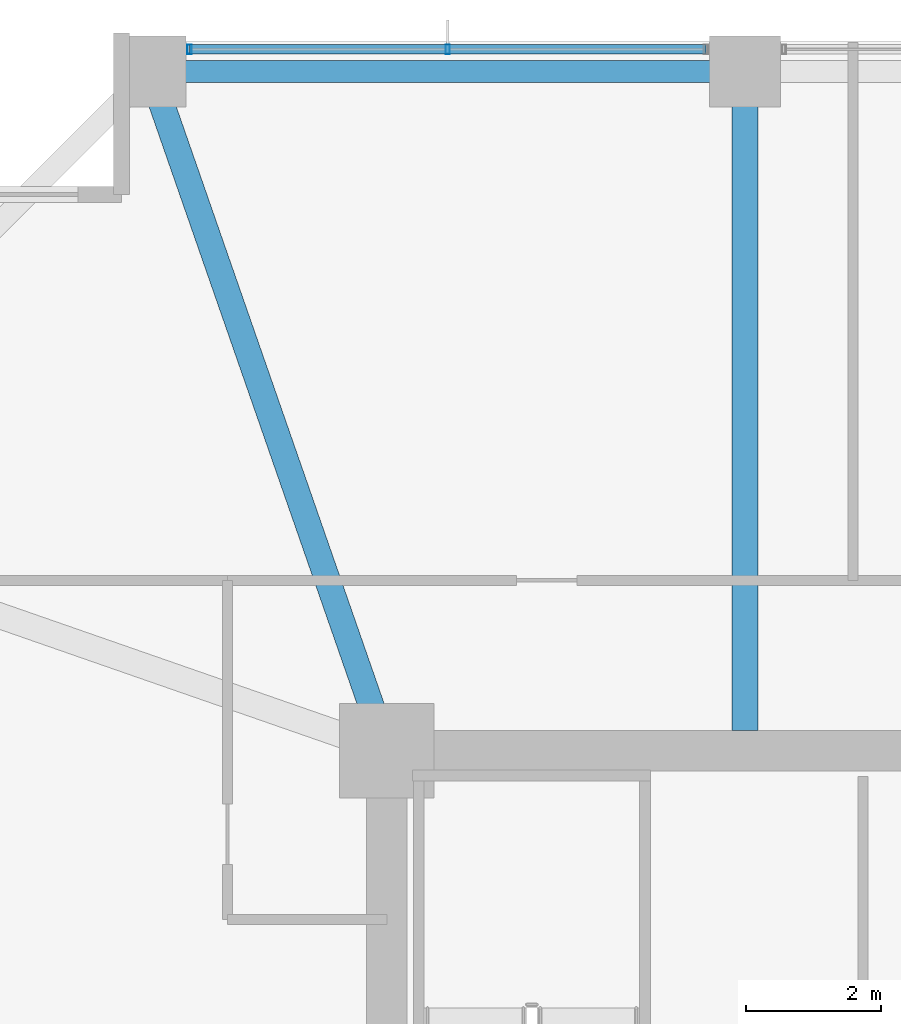
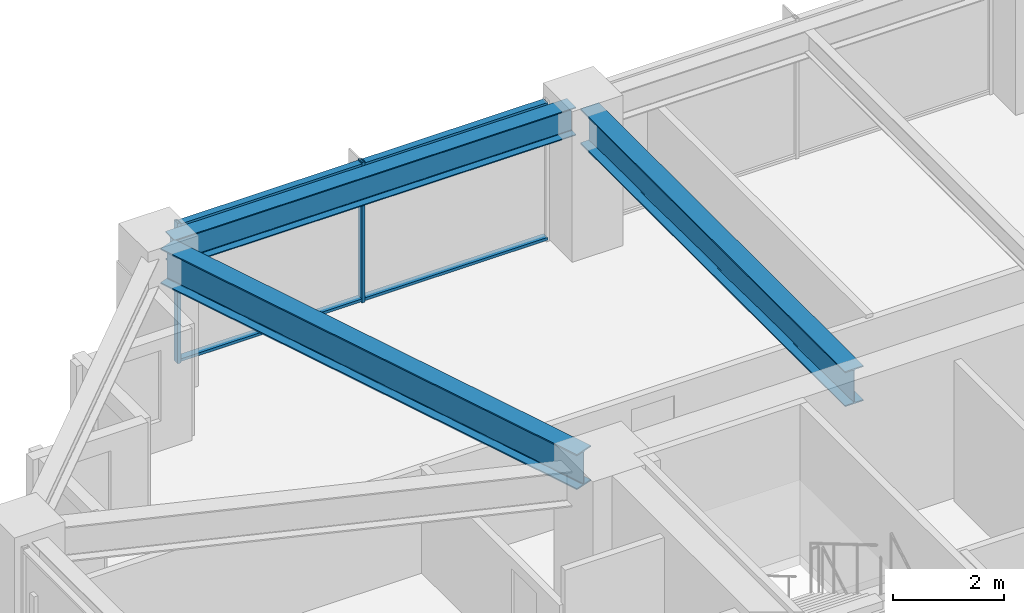
# One storey, part 20 of 36: 4 members, 3 beams, 1 element without a shape of its own.
"""IFC4 building model written with IfcOpenShell, lengths in metres."""

from ifc_helpers import new_model, si_unit, direction, frame, origin, origin_2d, place, context, subcontext, project, spatial, hollow_rectangle, i_section, extrude, material, material_profile, profile_set, type_object, element, aggregate, save


model = new_model("IFC4")

# Units and contexts
model_context = context("Model", 3, precision=1e-05, world=origin(), true_north=direction((0.0, 1.0)))
body_context = subcontext(model_context, "Body", "Model", "MODEL_VIEW")
ifc_project = project(units=[si_unit("LENGTHUNIT", "METRE"), si_unit("AREAUNIT", "SQUARE_METRE"), si_unit("VOLUMEUNIT", "CUBIC_METRE"), si_unit("PLANEANGLEUNIT", "RADIAN"), si_unit("MASSUNIT", "GRAM", prefix="KILO")], contexts=[model_context])

# Site, building, storey
site_placement = place(None, origin())
site = spatial("IfcSite", under=ifc_project, at=site_placement, CompositionType="ELEMENT")
building_placement = place(site_placement, origin())
building = spatial("IfcBuilding", under=site, at=building_placement, Name="Kolvaren Belvedere", CompositionType="ELEMENT")
storey_placement = place(building_placement, frame((0.0, 0.0, 95.300048828125)))
storey = spatial("IfcBuildingStorey", under=building, at=storey_placement, Name="L27", CompositionType="ELEMENT", Elevation=95.300048828125)

# Beams
ifc_material_1 = material(Name="Structural steel ASTM A992 Grade 50", Category="steel")
ifc_material_profile_1 = material_profile(ifc_material_1, i_section(OverallWidth=0.381103515625, OverallDepth=0.77294921875, WebThickness=0.0166015625, FlangeThickness=0.027099609375, FilletRadius=0.02392578125, at=origin_2d()), Name="W30X173")
ifc_profile_set_1 = profile_set([ifc_material_profile_1], Name="Structural steel ASTM A992 Grade 50")
beam_type_1 = type_object("IfcBeamType", Name="BM-GIRD-W30X173", PredefinedType="BEAM", material=ifc_profile_set_1)
beam_1_placement = place(storey_placement, frame((-4.60009765625, 10.199951171875, 2.693359375), z_axis=(0.0, 1.0, 0.0), x_axis=(-1.0, 0.0, 0.0)))
element("IfcBeam", 1, at=beam_1_placement, inside=storey, type_object=beam_type_1, Name="L27 North Radial Girder M", PredefinedType="BEAM", context=body_context, shape_type="SweptSolid", body=[
    extrude(i_section(OverallWidth=0.381103515625, OverallDepth=0.77294921875, WebThickness=0.0166015625, FlangeThickness=0.027099609375, FilletRadius=0.02392578125, at=origin_2d()), origin(), (0.0, 0.0, 1.0), 9.513916015625),
])
beam_2_placement = place(storey_placement, frame((-10.080810546875, 10.41943359375, 2.693359375), z_axis=(-0.328880894453, 0.944371408538, 0.0), x_axis=(-0.944371408538, -0.328880894453, 0.0)))
element("IfcBeam", 2, at=beam_2_placement, inside=storey, type_object=beam_type_1, Name="L27 Corner Core-to-Perimeter Girder CC4-N1", PredefinedType="BEAM", context=body_context, shape_type="SweptSolid", body=[
    extrude(i_section(OverallWidth=0.381103515625, OverallDepth=0.77294921875, WebThickness=0.0166015625, FlangeThickness=0.027099609375, FilletRadius=0.02392578125, at=origin_2d()), origin(), (0.0, 0.0, 1.0), 9.882080078125),
])
ifc_material_2 = material(Name="Structural steel ASTM A992 Grade 50", Category="steel")
ifc_material_profile_2 = material_profile(ifc_material_2, i_section(OverallWidth=0.324951171875, OverallDepth=0.615966796875, WebThickness=0.013916015625, FlangeThickness=0.021484375, FilletRadius=0.02001953125, at=origin_2d()), Name="W24X117")
ifc_profile_set_2 = profile_set([ifc_material_profile_2], Name="Structural steel ASTM A992 Grade 50")
beam_type_2 = type_object("IfcBeamType", Name="BM-SPAN-W24X117", PredefinedType="SPANDREL", material=ifc_profile_set_2)
beam_3_placement = place(storey_placement, frame((-4.836181640625, 19.949951171875, 2.77197265625), z_axis=(-1.0, 0.0, 0.0), x_axis=(0.0, -1.0, 0.0)))
element("IfcBeam", 3, at=beam_3_placement, inside=storey, type_object=beam_type_2, Name="L27 Perimeter Spandrel N2-N1", PredefinedType="SPANDREL", context=body_context, shape_type="SweptSolid", body=[
    extrude(i_section(OverallWidth=0.324951171875, OverallDepth=0.615966796875, WebThickness=0.013916015625, FlangeThickness=0.021484375, FilletRadius=0.02001953125, at=origin_2d()), origin(), (0.0, 0.0, 1.0), 8.32763671875),
])

# Curtain wall, members
ifc_material_3 = material(Name="Anodised pale-metal aluminium AA 6063-T6", Category="aluminium")
curtain_wall_type = type_object("IfcCurtainWallType", Name="CW-Z2-MID", PredefinedType="NOTDEFINED", material=ifc_material_3)
curtain_wall_placement = place(storey_placement, origin())
curtain_wall = element("IfcCurtainWall", 4, at=curtain_wall_placement, inside=storey, type_object=curtain_wall_type, Name="L27 Unitised Curtain Wall FCW-L27-N-B1", PredefinedType="NOTDEFINED")
ifc_material_4 = material(Name="Anodised pale-metal aluminium AA 6063-T6", Category="aluminium")
ifc_material_profile_3 = material_profile(ifc_material_4, hollow_rectangle(XDim=0.06494140625, YDim=0.139892578125, WallThickness=0.00390625, at=origin_2d()), Name="ALU-MUL-140X65")
ifc_profile_set_3 = profile_set([ifc_material_profile_3], Name="Anodised pale-metal aluminium AA 6063-T6")
member_type_1 = type_object("IfcMemberType", Name="CW-MUL-140", PredefinedType="MULLION", material=ifc_profile_set_3)
member_1_placement = place(storey_placement, frame((-12.822509765625, 20.280029296875, 0.0), z_axis=(0.0, 0.0, 1.0), x_axis=(1.0, 0.0, 0.0)))
member_1 = element("IfcMember", 5, at=member_1_placement, type_object=member_type_1, Name="FCW-L27-N-B1 Unitised Mullion 1", PredefinedType="MULLION", context=body_context, shape_type="SweptSolid", body=[
    extrude(hollow_rectangle(XDim=0.06494140625, YDim=0.139892578125, WallThickness=0.00390625, at=origin_2d()), origin(), (0.0, 0.0, 1.0), 3.079833984375),
])
member_2_placement = place(storey_placement, frame((-9.0, 20.280029296875, 0.0), z_axis=(0.0, 0.0, 1.0), x_axis=(1.0, 0.0, 0.0)))
member_2 = element("IfcMember", 6, at=member_2_placement, type_object=member_type_1, Name="FCW-L27-N-B1 Unitised Mullion 2", PredefinedType="MULLION", context=body_context, shape_type="SweptSolid", body=[
    extrude(hollow_rectangle(XDim=0.06494140625, YDim=0.139892578125, WallThickness=0.00390625, at=origin_2d()), origin(), (0.0, 0.0, 1.0), 3.079833984375),
])
ifc_material_5 = material(Name="Anodised pale-metal aluminium AA 6063-T6", Category="aluminium")
ifc_material_profile_4 = material_profile(ifc_material_5, hollow_rectangle(XDim=0.06005859375, YDim=0.139892578125, WallThickness=0.00390625, at=origin_2d()), Name="ALU-TRN-140X60")
ifc_profile_set_4 = profile_set([ifc_material_profile_4], Name="Anodised pale-metal aluminium AA 6063-T6")
member_type_2 = type_object("IfcMemberType", Name="CW-TRN-140", PredefinedType="USERDEFINED", material=ifc_profile_set_4)
member_3_placement = place(storey_placement, frame((-12.822509765625, 20.280029296875, 0.06005859375), z_axis=(1.0, 0.0, 0.0), x_axis=(0.0, 0.0, 1.0)))
member_3 = element("IfcMember", 7, at=member_3_placement, type_object=member_type_2, Name="FCW-L27-N-B1 Sill Transom", ObjectType="TRANSOM", PredefinedType="USERDEFINED", context=body_context, shape_type="SweptSolid", body=[
    extrude(hollow_rectangle(XDim=0.06005859375, YDim=0.139892578125, WallThickness=0.00390625, at=origin_2d()), origin(), (0.0, 0.0, 1.0), 7.64501953125),
])
member_4_placement = place(storey_placement, frame((-12.822509765625, 20.280029296875, 3.02001953125), z_axis=(1.0, 0.0, 0.0), x_axis=(0.0, 0.0, 1.0)))
member_4 = element("IfcMember", 8, at=member_4_placement, type_object=member_type_2, Name="FCW-L27-N-B1 Head Transom", ObjectType="TRANSOM", PredefinedType="USERDEFINED", context=body_context, shape_type="SweptSolid", body=[
    extrude(hollow_rectangle(XDim=0.06005859375, YDim=0.139892578125, WallThickness=0.00390625, at=origin_2d()), origin(), (0.0, 0.0, 1.0), 7.64501953125),
])
aggregate(curtain_wall, [member_1, member_2, member_3, member_4])

save(model, "model.ifc")
